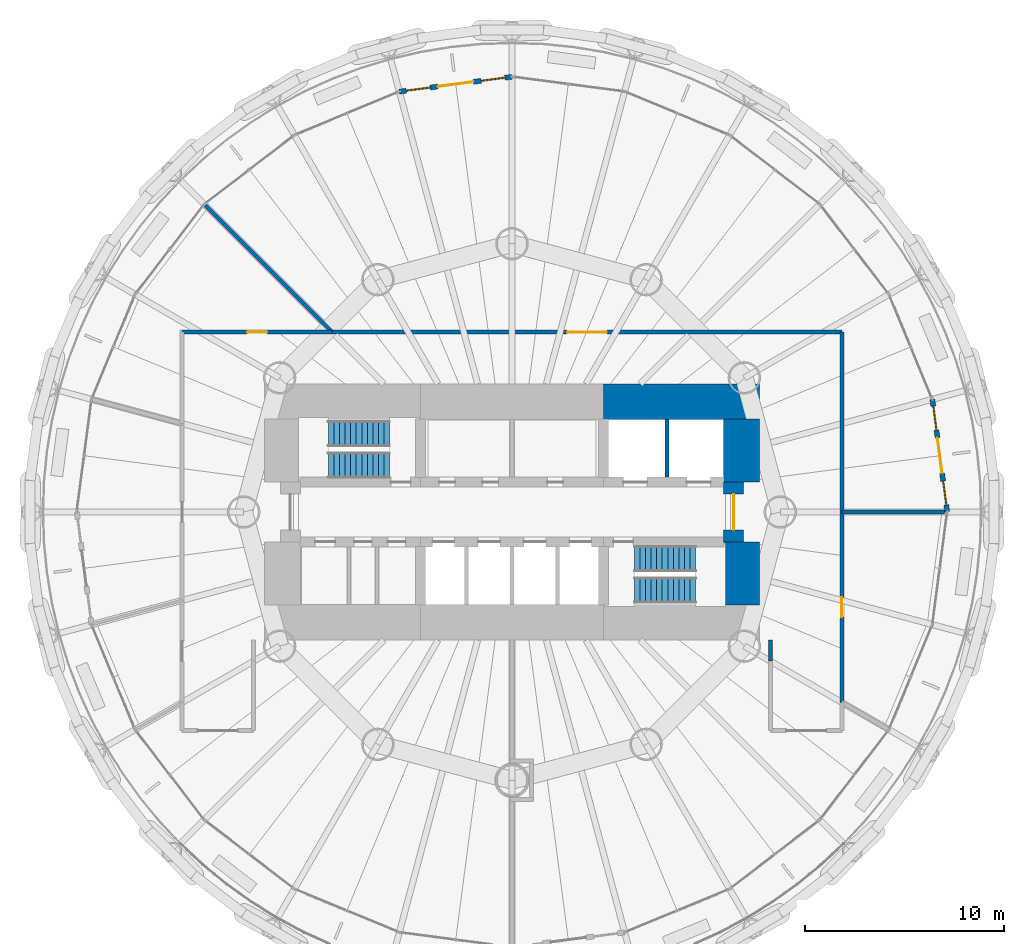
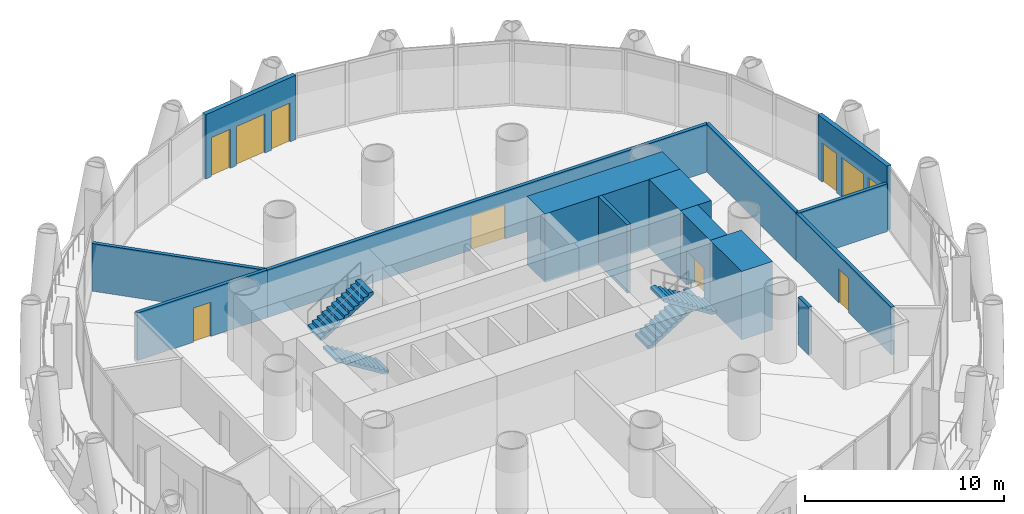
# One storey, part 11 of 15: 14 walls, 6 doors, 4 stair flights, 4 windows, 10 openings, 2 elements without a shape of their own.
"""IFC4 building model written with IfcOpenShell, lengths in metres."""

from ifc_helpers import new_model, si_unit, direction, frame, frame_2d, origin, place, context, subcontext, project, spatial, polyline, rectangle, outline, extrude, material, layer, layer_set, type_object, element, fill, aggregate, save


model = new_model("IFC4")

# Units and contexts
model_context = context("Model", 3, precision=1e-05, world=origin(), true_north=direction((0.0, 1.0)))
body_context = subcontext(model_context, "Body", "Model", "MODEL_VIEW")
ifc_project = project(units=[si_unit("LENGTHUNIT", "METRE"), si_unit("AREAUNIT", "SQUARE_METRE"), si_unit("VOLUMEUNIT", "CUBIC_METRE"), si_unit("PLANEANGLEUNIT", "RADIAN"), si_unit("MASSUNIT", "GRAM", prefix="KILO")], contexts=[model_context])

# Site, building, storey
site_placement = place(None, origin())
site = spatial("IfcSite", under=ifc_project, at=site_placement, CompositionType="ELEMENT")
building_placement = place(site_placement, origin())
building = spatial("IfcBuilding", under=site, at=building_placement, Name="Qaws Media Tower", CompositionType="ELEMENT")
storey_placement = place(building_placement, frame((0.0, 0.0, 189.800048828125)))
storey = spatial("IfcBuildingStorey", under=building, at=storey_placement, Name="L43", CompositionType="ELEMENT", Elevation=189.800048828125)

# Wall, openings, door, windows
ifc_material_1 = material(Name="Precast concrete, exposed finish", Category="concrete")
ifc_layer_1 = layer(ifc_material_1, 0.25)
ifc_layer_set_1 = layer_set([ifc_layer_1], Name="Balcony door wall 250")
wall_type_1 = type_object("IfcWallType", Name="Balcony door wall 250", PredefinedType="SOLIDWALL", material=ifc_layer_set_1)
wall_1_placement = place(storey_placement, frame((81.89990234375, 50.0, 0.0), z_axis=(0.0, 0.0, 1.0), x_axis=(-0.130502012477, 0.991448044397, 0.0)))
wall_1 = element("IfcWall", 1, at=wall_1_placement, inside=storey, type_object=wall_type_1, Name="W230 EW1 balcony door wall L43-01", PredefinedType="SOLIDWALL", context=body_context, shape_type="SweptSolid", body=[
    extrude(rectangle(XDim=5.717041015625, YDim=0.25, at=frame_2d((2.8583984375, 0.0))), origin(), (0.0, 0.0, 1.0), 3.949951171875),
])
opening_1_placement = place(wall_1_placement, frame((1.95849609375, 0.0, 0.0)))
opening_1 = element("IfcOpeningElement", 2, at=opening_1_placement, cuts=wall_1, Name="Opening D7", PredefinedType="OPENING", context=body_context, shape_type="SweptSolid", body=[
    extrude(rectangle(XDim=1.800048828125, YDim=2.39990234375, at=frame_2d((0.89990234375, 1.199951171875))), frame((0.0, 0.135009765625, 0.0), z_axis=(0.0, -1.0, 0.0), x_axis=(1.0, 0.0, 0.0)), (0.0, 0.0, 1.0), 0.27001953125),
])
opening_2_placement = place(wall_1_placement, frame((0.358642578125, 0.0, 0.0)))
opening_2 = element("IfcOpeningElement", 3, at=opening_2_placement, cuts=wall_1, Name="Opening W1", PredefinedType="OPENING", context=body_context, shape_type="SweptSolid", body=[
    extrude(rectangle(XDim=1.199951171875, YDim=2.39990234375, at=frame_2d((0.60009765625, 1.199951171875))), frame((0.0, 0.135009765625, 0.0), z_axis=(0.0, -1.0, 0.0), x_axis=(1.0, 0.0, 0.0)), (0.0, 0.0, 1.0), 0.27001953125),
])
opening_3_placement = place(wall_1_placement, frame((4.158447265625, 0.0, 0.0)))
opening_3 = element("IfcOpeningElement", 4, at=opening_3_placement, cuts=wall_1, Name="Opening W1", PredefinedType="OPENING", context=body_context, shape_type="SweptSolid", body=[
    extrude(rectangle(XDim=1.199951171875, YDim=2.39990234375, at=frame_2d((0.60009765625, 1.199951171875))), frame((0.0, 0.135009765625, 0.0), z_axis=(0.0, -1.0, 0.0), x_axis=(1.0, 0.0, 0.0)), (0.0, 0.0, 1.0), 0.27001953125),
])
ifc_material_2 = material(Name="Aluminium and clear glass", Category="aluminium")
door_type_1 = type_object("IfcDoorType", Name="Balcony door pair 1800", OperationType="DOUBLE_DOOR_SLIDING", PredefinedType="DOOR", material=ifc_material_2)
door_1_placement = place(opening_1_placement, origin())
door_1 = element("IfcDoor", 5, at=door_1_placement, inside=storey, type_object=door_type_1, Name="D7 balcony door L43-01 in wall W230", OperationType="DOUBLE_DOOR_SLIDING", OverallHeight=2.39990234375, OverallWidth=1.800048828125, PredefinedType="DOOR", context=body_context, shape_type="SweptSolid", body=[
    extrude(rectangle(XDim=1.800048828125, YDim=2.39990234375, at=frame_2d((0.89990234375, 1.199951171875))), frame((0.0, 0.02490234375, 0.0), z_axis=(0.0, -1.0, 0.0), x_axis=(1.0, 0.0, 0.0)), (0.0, 0.0, 1.0), 0.050048828125),
])
fill(opening_1, door_1)
ifc_material_3 = material(Name="Aluminium and clear glass", Category="aluminium")
window_type = type_object("IfcWindowType", Name="Balcony side window 1200", PartitioningType="SINGLE_PANEL", PredefinedType="WINDOW", material=ifc_material_3)
window_1_placement = place(opening_2_placement, origin())
window_1 = element("IfcWindow", 6, at=window_1_placement, inside=storey, type_object=window_type, Name="W1 balcony side light L43-01L", OverallHeight=2.39990234375, OverallWidth=1.199951171875, PartitioningType="SINGLE_PANEL", PredefinedType="WINDOW", context=body_context, shape_type="SweptSolid", body=[
    extrude(rectangle(XDim=1.199951171875, YDim=2.39990234375, at=frame_2d((0.60009765625, 1.199951171875))), frame((0.0, 0.030029296875, 0.0), z_axis=(0.0, -1.0, 0.0), x_axis=(1.0, 0.0, 0.0)), (0.0, 0.0, 1.0), 0.06005859375),
])
fill(opening_2, window_1)
window_2_placement = place(opening_3_placement, origin())
window_2 = element("IfcWindow", 7, at=window_2_placement, inside=storey, type_object=window_type, Name="W1 balcony side light L43-01R", OverallHeight=2.39990234375, OverallWidth=1.199951171875, PartitioningType="SINGLE_PANEL", PredefinedType="WINDOW", context=body_context, shape_type="SweptSolid", body=[
    extrude(rectangle(XDim=1.199951171875, YDim=2.39990234375, at=frame_2d((0.60009765625, 1.199951171875))), frame((0.0, 0.030029296875, 0.0), z_axis=(0.0, -1.0, 0.0), x_axis=(1.0, 0.0, 0.0)), (0.0, 0.0, 1.0), 0.06005859375),
])
fill(opening_3, window_2)

wall_2_placement = place(storey_placement, frame((60.0, 71.89990234375, 0.0), z_axis=(0.0, 0.0, 1.0), x_axis=(-0.991448044397, -0.130502012477, 0.0)))
wall_2 = element("IfcWall", 8, at=wall_2_placement, inside=storey, type_object=wall_type_1, Name="W229 EW1 balcony door wall L43-07", PredefinedType="SOLIDWALL", context=body_context, shape_type="SweptSolid", body=[
    extrude(rectangle(XDim=5.717041015625, YDim=0.25, at=frame_2d((2.8583984375, 0.0))), origin(), (0.0, 0.0, 1.0), 3.949951171875),
])
opening_4_placement = place(wall_2_placement, frame((1.95849609375, 0.0, 0.0)))
opening_4 = element("IfcOpeningElement", 9, at=opening_4_placement, cuts=wall_2, Name="Opening D7", PredefinedType="OPENING", context=body_context, shape_type="SweptSolid", body=[
    extrude(rectangle(XDim=1.800048828125, YDim=2.39990234375, at=frame_2d((0.89990234375, 1.199951171875))), frame((0.0, 0.135009765625, 0.0), z_axis=(0.0, -1.0, 0.0), x_axis=(1.0, 0.0, 0.0)), (0.0, 0.0, 1.0), 0.27001953125),
])
opening_5_placement = place(wall_2_placement, frame((0.358642578125, 0.0, 0.0)))
opening_5 = element("IfcOpeningElement", 10, at=opening_5_placement, cuts=wall_2, Name="Opening W1", PredefinedType="OPENING", context=body_context, shape_type="SweptSolid", body=[
    extrude(rectangle(XDim=1.199951171875, YDim=2.39990234375, at=frame_2d((0.60009765625, 1.199951171875))), frame((0.0, 0.135009765625, 0.0), z_axis=(0.0, -1.0, 0.0), x_axis=(1.0, 0.0, 0.0)), (0.0, 0.0, 1.0), 0.27001953125),
])
opening_6_placement = place(wall_2_placement, frame((4.158447265625, 0.0, 0.0)))
opening_6 = element("IfcOpeningElement", 11, at=opening_6_placement, cuts=wall_2, Name="Opening W1", PredefinedType="OPENING", context=body_context, shape_type="SweptSolid", body=[
    extrude(rectangle(XDim=1.199951171875, YDim=2.39990234375, at=frame_2d((0.60009765625, 1.199951171875))), frame((0.0, 0.135009765625, 0.0), z_axis=(0.0, -1.0, 0.0), x_axis=(1.0, 0.0, 0.0)), (0.0, 0.0, 1.0), 0.27001953125),
])
door_2_placement = place(opening_4_placement, origin())
door_2 = element("IfcDoor", 12, at=door_2_placement, inside=storey, type_object=door_type_1, Name="D7 balcony door L43-07 in wall W229", OperationType="DOUBLE_DOOR_SLIDING", OverallHeight=2.39990234375, OverallWidth=1.800048828125, PredefinedType="DOOR", context=body_context, shape_type="SweptSolid", body=[
    extrude(rectangle(XDim=1.800048828125, YDim=2.39990234375, at=frame_2d((0.89990234375, 1.199951171875))), frame((0.0, 0.02490234375, 0.0), z_axis=(0.0, -1.0, 0.0), x_axis=(1.0, 0.0, 0.0)), (0.0, 0.0, 1.0), 0.050048828125),
])
fill(opening_4, door_2)
window_3_placement = place(opening_5_placement, origin())
window_3 = element("IfcWindow", 13, at=window_3_placement, inside=storey, type_object=window_type, Name="W1 balcony side light L43-07L", OverallHeight=2.39990234375, OverallWidth=1.199951171875, PartitioningType="SINGLE_PANEL", PredefinedType="WINDOW", context=body_context, shape_type="SweptSolid", body=[
    extrude(rectangle(XDim=1.199951171875, YDim=2.39990234375, at=frame_2d((0.60009765625, 1.199951171875))), frame((0.0, 0.030029296875, 0.0), z_axis=(0.0, -1.0, 0.0), x_axis=(1.0, 0.0, 0.0)), (0.0, 0.0, 1.0), 0.06005859375),
])
fill(opening_5, window_3)
window_4_placement = place(opening_6_placement, origin())
window_4 = element("IfcWindow", 14, at=window_4_placement, inside=storey, type_object=window_type, Name="W1 balcony side light L43-07R", OverallHeight=2.39990234375, OverallWidth=1.199951171875, PartitioningType="SINGLE_PANEL", PredefinedType="WINDOW", context=body_context, shape_type="SweptSolid", body=[
    extrude(rectangle(XDim=1.199951171875, YDim=2.39990234375, at=frame_2d((0.60009765625, 1.199951171875))), frame((0.0, 0.030029296875, 0.0), z_axis=(0.0, -1.0, 0.0), x_axis=(1.0, 0.0, 0.0)), (0.0, 0.0, 1.0), 0.06005859375),
])
fill(opening_6, window_4)

# Wall, opening, door
ifc_material_4 = material(Name="Concrete C60/75", Category="concrete")
ifc_layer_2 = layer(ifc_material_4, 1.0)
ifc_layer_set_2 = layer_set([ifc_layer_2], Name="Core wall 1000")
wall_type_2 = type_object("IfcWallType", Name="Core wall 1000", PredefinedType="SHEAR", material=ifc_layer_set_2)
wall_3_placement = place(storey_placement, frame((71.14990234375, 48.5, 0.0), z_axis=(0.0, 0.0, 1.0), x_axis=(0.0, 1.0, 0.0)))
wall_3 = element("IfcWall", 15, at=wall_3_placement, inside=storey, type_object=wall_type_2, Name="W367 SW8 core wall E L43", PredefinedType="SHEAR", context=body_context, shape_type="SweptSolid", body=[
    extrude(rectangle(XDim=3.0, YDim=1.0, at=frame_2d((1.5, 0.0))), origin(), (0.0, 0.0, 1.0), 4.199951171875),
])
opening_7_placement = place(wall_3_placement, frame((0.60009765625, 0.0, 0.0)))
opening_7 = element("IfcOpeningElement", 16, at=opening_7_placement, cuts=wall_3, Name="Opening D2", PredefinedType="OPENING", context=body_context, shape_type="SweptSolid", body=[
    extrude(rectangle(XDim=1.800048828125, YDim=2.10009765625, at=frame_2d((0.89990234375, 1.050048828125))), frame((0.0, 0.510009765625, 0.0), z_axis=(0.0, -1.0, 0.0), x_axis=(1.0, 0.0, 0.0)), (0.0, 0.0, 1.0), 1.02001953125),
])
ifc_material_5 = material(Name="Steel and glass, fire rated", Category="steel")
door_type_2 = type_object("IfcDoorType", Name="Lobby door pair 1800 FD60", OperationType="DOUBLE_DOOR_DOUBLE_SWING", PredefinedType="DOOR", material=ifc_material_5)
door_3_placement = place(opening_7_placement, origin())
door_3 = element("IfcDoor", 17, at=door_3_placement, inside=storey, type_object=door_type_2, Name="D2 core lobby door E L43 in wall W367", OperationType="DOUBLE_DOOR_DOUBLE_SWING", OverallHeight=2.10009765625, OverallWidth=1.800048828125, PredefinedType="DOOR", context=body_context, shape_type="SweptSolid", body=[
    extrude(rectangle(XDim=1.800048828125, YDim=2.10009765625, at=frame_2d((0.89990234375, 1.050048828125))), frame((0.0, 0.02490234375, 0.0), z_axis=(0.0, -1.0, 0.0), x_axis=(1.0, 0.0, 0.0)), (0.0, 0.0, 1.0), 0.050048828125),
])
fill(opening_7, door_3)

# Walls
ifc_material_6 = material(Name="Concrete C60/75", Category="concrete")
ifc_layer_3 = layer(ifc_material_6, 1.800048828125)
ifc_layer_set_3 = layer_set([ifc_layer_3], Name="Core wall 1800")
wall_type_3 = type_object("IfcWallType", Name="Core wall 1800", PredefinedType="SHEAR", material=ifc_layer_set_3)
wall_4_placement = place(storey_placement, frame((64.60009765625, 55.550048828125, 0.0), z_axis=(0.0, 0.0, 1.0), x_axis=(1.0, 0.0, 0.0)))
element("IfcWall", 18, at=wall_4_placement, inside=storey, type_object=wall_type_3, Name="W423 SW11 core wall NE L43", PredefinedType="SHEAR", context=body_context, shape_type="SweptSolid", body=[
    extrude(rectangle(XDim=7.849853515625, YDim=1.800048828125, at=frame_2d((3.9248046875, 0.0))), origin(), (0.0, 0.0, 1.0), 4.199951171875),
])
for number, where, z_axis, x_axis, name in (
    (19, (71.550048828125, 45.330078125, 0.0), (0.0, 0.0, 1.0), (0.0, 1.0, 0.0), "W424 SW11 core wall ES L43"),
    (20, (71.550048828125, 51.5, 0.0), (0.0, 0.0, 1.0), (0.0, 1.0, 0.0), "W425 SW11 core wall EN L43"),
):
    element("IfcWall", number, at=place(storey_placement, frame(where, z_axis=z_axis, x_axis=x_axis)), inside=storey, type_object=wall_type_3, Name=name, PredefinedType="SHEAR", context=body_context, shape_type="SweptSolid", body=[
        extrude(rectangle(XDim=3.169921875, YDim=1.800048828125, at=frame_2d((1.5849609375, 0.0))), origin(), (0.0, 0.0, 1.0), 4.199951171875),
    ])

# Wall, opening, door
ifc_material_7 = material(Name="Gypsum board on galvanised metal studs, acoustic double stud, deflection head", Category="gypsum")
ifc_layer_4 = layer(ifc_material_7, 0.199951171875)
ifc_layer_set_4 = layer_set([ifc_layer_4], Name="Room partition 200")
wall_type_4 = type_object("IfcWallType", Name="Room partition 200", PredefinedType="PARTITIONING", material=ifc_layer_set_4)
wall_5_placement = place(storey_placement, frame((43.39990234375, 59.050048828125, 0.0), z_axis=(0.0, 0.0, 1.0), x_axis=(1.0, 0.0, 0.0)))
wall_5 = element("IfcWall", 21, at=wall_5_placement, inside=storey, type_object=wall_type_4, Name="W1444 IW3 partition L43", PredefinedType="PARTITIONING", context=body_context, shape_type="SweptSolid", body=[
    extrude(rectangle(XDim=7.550048828125, YDim=0.199951171875, at=frame_2d((3.77490234375, 0.0))), origin(), (0.0, 0.0, 1.0), 2.929931640625),
])
opening_8_placement = place(wall_5_placement, frame((3.27490234375, 0.0, 0.0)))
opening_8 = element("IfcOpeningElement", 22, at=opening_8_placement, cuts=wall_5, Name="Opening D5", PredefinedType="OPENING", context=body_context, shape_type="SweptSolid", body=[
    extrude(rectangle(XDim=1.0, YDim=2.10009765625, at=frame_2d((0.5, 1.050048828125))), frame((0.0, 0.10986328125, 0.0), z_axis=(0.0, -1.0, 0.0), x_axis=(1.0, 0.0, 0.0)), (0.0, 0.0, 1.0), 0.219970703125),
])
ifc_material_8 = material(Name="Timber veneered, acoustic seal", Category="wood")
door_type_3 = type_object("IfcDoorType", Name="Room door 1000", OperationType="SINGLE_SWING_LEFT", PredefinedType="DOOR", material=ifc_material_8)
door_4_placement = place(opening_8_placement, origin())
door_4 = element("IfcDoor", 23, at=door_4_placement, inside=storey, type_object=door_type_3, Name="D5 Brand studio door L43 in wall W1444", OperationType="SINGLE_SWING_LEFT", OverallHeight=2.10009765625, OverallWidth=1.0, PredefinedType="DOOR", context=body_context, shape_type="SweptSolid", body=[
    extrude(rectangle(XDim=1.0, YDim=2.10009765625, at=frame_2d((0.5, 1.050048828125))), frame((0.0, 0.02490234375, 0.0), z_axis=(0.0, -1.0, 0.0), x_axis=(1.0, 0.0, 0.0)), (0.0, 0.0, 1.0), 0.050048828125),
])
fill(opening_8, door_4)

wall_6_placement = place(storey_placement, frame((50.949951171875, 59.050048828125, 0.0), z_axis=(0.0, 0.0, 1.0), x_axis=(1.0, 0.0, 0.0)))
wall_6 = element("IfcWall", 24, at=wall_6_placement, inside=storey, type_object=wall_type_4, Name="W1450 IW3 partition L43", PredefinedType="PARTITIONING", context=body_context, shape_type="SweptSolid", body=[
    extrude(rectangle(XDim=25.650146484375, YDim=0.199951171875, at=frame_2d((12.8251953125, 0.0))), origin(), (0.0, 0.0, 1.0), 2.929931640625),
])
opening_9_placement = place(wall_6_placement, frame((11.824951171875, 0.0, 0.0)))
opening_9 = element("IfcOpeningElement", 25, at=opening_9_placement, cuts=wall_6, Name="Opening D6", PredefinedType="OPENING", context=body_context, shape_type="SweptSolid", body=[
    extrude(rectangle(XDim=2.0, YDim=2.10009765625, at=frame_2d((1.0, 1.050048828125))), frame((0.0, 0.10986328125, 0.0), z_axis=(0.0, -1.0, 0.0), x_axis=(1.0, 0.0, 0.0)), (0.0, 0.0, 1.0), 0.219970703125),
])
ifc_material_9 = material(Name="Steel, acoustic, fire rated", Category="steel")
door_type_4 = type_object("IfcDoorType", Name="Room door pair 2000", OperationType="DOUBLE_DOOR_DOUBLE_SWING", PredefinedType="DOOR", material=ifc_material_9)
door_5_placement = place(opening_9_placement, origin())
door_5 = element("IfcDoor", 26, at=door_5_placement, inside=storey, type_object=door_type_4, Name="D6 Marketing office door L43 in wall W1450", OperationType="DOUBLE_DOOR_DOUBLE_SWING", OverallHeight=2.10009765625, OverallWidth=2.0, PredefinedType="DOOR", context=body_context, shape_type="SweptSolid", body=[
    extrude(rectangle(XDim=2.0, YDim=2.10009765625, at=frame_2d((1.0, 1.050048828125))), frame((0.0, 0.02490234375, 0.0), z_axis=(0.0, -1.0, 0.0), x_axis=(1.0, 0.0, 0.0)), (0.0, 0.0, 1.0), 0.050048828125),
])
fill(opening_9, door_5)

# Wall
wall_7_placement = place(storey_placement, frame((76.60009765625, 59.050048828125, 0.0), z_axis=(0.0, 0.0, 1.0), x_axis=(0.0, -1.0, 0.0)))
element("IfcWall", 27, at=wall_7_placement, inside=storey, type_object=wall_type_4, Name="W1464 IW3 partition L43", PredefinedType="PARTITIONING", context=body_context, shape_type="SweptSolid", body=[
    extrude(rectangle(XDim=9.050048828125, YDim=0.199951171875, at=frame_2d((4.52490234375, 0.0))), origin(), (0.0, 0.0, 1.0), 2.929931640625),
])

# Wall, opening, door
wall_8_placement = place(storey_placement, frame((76.60009765625, 50.0, 0.0), z_axis=(0.0, 0.0, 1.0), x_axis=(0.0, -1.0, 0.0)))
wall_8 = element("IfcWall", 28, at=wall_8_placement, inside=storey, type_object=wall_type_4, Name="W1462 IW3 partition L43", PredefinedType="PARTITIONING", context=body_context, shape_type="SweptSolid", body=[
    extrude(rectangle(XDim=9.583984375, YDim=0.199951171875, at=frame_2d((4.7919921875, 0.0))), origin(), (0.0, 0.0, 1.0), 2.929931640625),
])
opening_10_placement = place(wall_8_placement, frame((4.2919921875, 0.0, 0.0)))
opening_10 = element("IfcOpeningElement", 29, at=opening_10_placement, cuts=wall_8, Name="Opening D5", PredefinedType="OPENING", context=body_context, shape_type="SweptSolid", body=[
    extrude(rectangle(XDim=1.0, YDim=2.10009765625, at=frame_2d((0.5, 1.050048828125))), frame((0.0, 0.10986328125, 0.0), z_axis=(0.0, -1.0, 0.0), x_axis=(1.0, 0.0, 0.0)), (0.0, 0.0, 1.0), 0.219970703125),
])
door_6_placement = place(opening_10_placement, origin())
door_6 = element("IfcDoor", 30, at=door_6_placement, inside=storey, type_object=door_type_3, Name="D5 Content studio door L43 in wall W1462", OperationType="SINGLE_SWING_LEFT", OverallHeight=2.10009765625, OverallWidth=1.0, PredefinedType="DOOR", context=body_context, shape_type="SweptSolid", body=[
    extrude(rectangle(XDim=1.0, YDim=2.10009765625, at=frame_2d((0.5, 1.050048828125))), frame((0.0, 0.02490234375, 0.0), z_axis=(0.0, -1.0, 0.0), x_axis=(1.0, 0.0, 0.0)), (0.0, 0.0, 1.0), 0.050048828125),
])
fill(opening_10, door_6)

# Walls
wall_9_placement = place(storey_placement, frame((73.0, 42.494384765625, 0.0), z_axis=(0.0, 0.0, 1.0), x_axis=(0.0, 1.0, 0.0)))
element("IfcWall", 31, at=wall_9_placement, inside=storey, type_object=wall_type_4, Name="W1458 IW3 partition L43", PredefinedType="PARTITIONING", context=body_context, shape_type="SweptSolid", body=[
    extrude(rectangle(XDim=1.0556640625, YDim=0.199951171875, at=frame_2d((0.52783203125, 0.0))), origin(), (0.0, 0.0, 1.0), 2.929931640625),
])
wall_10_placement = place(storey_placement, frame((76.60009765625, 50.0, 0.0), z_axis=(0.0, 0.0, 1.0), x_axis=(1.0, 0.0, 0.0)))
element("IfcWall", 32, at=wall_10_placement, inside=storey, type_object=wall_type_4, Name="W1463 IW3 partition L43", PredefinedType="PARTITIONING", context=body_context, shape_type="SweptSolid", body=[
    extrude(rectangle(XDim=5.159912109375, YDim=0.199951171875, at=frame_2d((2.580078125, 0.0))), origin(), (0.0, 0.0, 1.0), 2.929931640625),
])
wall_11_placement = place(storey_placement, frame((50.948974609375, 59.051025390625, 0.0), z_axis=(0.0, 0.0, 1.0), x_axis=(-0.707106781187, 0.707106781187, 0.0)))
element("IfcWall", 33, at=wall_11_placement, inside=storey, type_object=wall_type_4, Name="W1449 IW3 partition L43", PredefinedType="PARTITIONING", context=body_context, shape_type="SweptSolid", body=[
    extrude(rectangle(XDim=9.06005859375, YDim=0.199951171875, at=frame_2d((4.530029296875, 0.0))), origin(), (0.0, 0.0, 1.0), 2.929931640625),
])
ifc_material_10 = material(Name="Fire-rated gypsum board shaft wall on galvanised metal studs, deflection head", Category="gypsum")
ifc_layer_5 = layer(ifc_material_10, 0.199951171875)
ifc_layer_set_5 = layer_set([ifc_layer_5], Name="Shaft wall 200")
wall_type_5 = type_object("IfcWallType", Name="Shaft wall 200", PredefinedType="PARTITIONING", material=ifc_layer_set_5)
wall_12_placement = place(storey_placement, frame((67.800048828125, 51.75, 0.0), z_axis=(0.0, 0.0, 1.0), x_axis=(0.0, 1.0, 0.0)))
element("IfcWall", 34, at=wall_12_placement, inside=storey, type_object=wall_type_5, Name="W1859 IW1 shaft wall FL L43", PredefinedType="PARTITIONING", context=body_context, shape_type="SweptSolid", body=[
    extrude(rectangle(XDim=2.89990234375, YDim=0.199951171875, at=frame_2d((1.449951171875, 0.0))), origin(), (0.0, 0.0, 1.0), 4.199951171875),
])

# Stair, stair flights
ifc_material_11 = material(Name="Concrete C40/50", Category="concrete")
stair_type = type_object("IfcStairType", Name="Exit stair", PredefinedType="HALF_TURN_STAIR", material=ifc_material_11)
stair_1_placement = place(storey_placement, origin())
stair_1 = element("IfcStair", 35, at=stair_1_placement, inside=storey, type_object=stair_type, Name="S1 exit stair L43", PredefinedType="HALF_TURN_STAIR")
ifc_material_12 = material(Name="Concrete C40/50", Category="concrete")
stair_flight_type = type_object("IfcStairFlightType", Name="Stair flight 1310", PredefinedType="STRAIGHT", material=ifc_material_12)
stair_flight_1_placement = place(storey_placement, frame((53.840087890625, 52.35498046875, 0.0), z_axis=(0.0, 0.0, 1.0), x_axis=(-1.0, 0.0, 0.0)))
stair_flight_1 = element("IfcStairFlight", 36, at=stair_flight_1_placement, type_object=stair_flight_type, Name="S1 flight 1", NumberOfRisers=12, NumberOfTreads=11, PredefinedType="STRAIGHT", RiserHeight=0.175, TreadLength=0.28, context=body_context, shape_type="SweptSolid", body=[
    extrude(outline(polyline([(0.0, 0.0), (0.0, 0.175048828125), (0.280029296875, 0.175048828125), (0.280029296875, 0.35009765625), (0.56005859375, 0.35009765625), (0.56005859375, 0.52490234375), (0.840087890625, 0.52490234375), (0.840087890625, 0.699951171875), (1.1201171875, 0.699951171875), (1.1201171875, 0.875), (1.39990234375, 0.875), (1.39990234375, 1.050048828125), (1.679931640625, 1.050048828125), (1.679931640625, 1.22509765625), (1.9599609375, 1.22509765625), (1.9599609375, 1.39990234375), (2.239990234375, 1.39990234375), (2.239990234375, 1.574951171875), (2.52001953125, 1.574951171875), (2.52001953125, 1.75), (2.800048828125, 1.75), (2.800048828125, 1.925048828125), (3.080078125, 1.925048828125), (3.080078125, 2.10009765625), (3.080078125, 1.748291015625), (0.28271484375, 0.0), (0.0, 0.0)])), frame((0.0, 0.655029296875, 0.0), z_axis=(0.0, -1.0, 0.0), x_axis=(1.0, 0.0, 0.0)), (0.0, 0.0, 1.0), 1.31005859375),
])
stair_flight_2_placement = place(storey_placement, frame((50.760009765625, 53.945068359375, 2.099853515625), z_axis=(0.0, 0.0, 1.0), x_axis=(1.0, 0.0, 0.0)))
stair_flight_2 = element("IfcStairFlight", 37, at=stair_flight_2_placement, type_object=stair_flight_type, Name="S1 flight 2", NumberOfRisers=12, NumberOfTreads=11, PredefinedType="STRAIGHT", RiserHeight=0.175, TreadLength=0.28, context=body_context, shape_type="SweptSolid", body=[
    extrude(outline(polyline([(0.0, 0.0), (0.0, 0.175048828125), (0.280029296875, 0.175048828125), (0.280029296875, 0.35009765625), (0.56005859375, 0.35009765625), (0.56005859375, 0.52490234375), (0.840087890625, 0.52490234375), (0.840087890625, 0.699951171875), (1.1201171875, 0.699951171875), (1.1201171875, 0.875), (1.39990234375, 0.875), (1.39990234375, 1.050048828125), (1.679931640625, 1.050048828125), (1.679931640625, 1.22509765625), (1.9599609375, 1.22509765625), (1.9599609375, 1.39990234375), (2.239990234375, 1.39990234375), (2.239990234375, 1.574951171875), (2.52001953125, 1.574951171875), (2.52001953125, 1.75), (2.800048828125, 1.75), (2.800048828125, 1.925048828125), (3.080078125, 1.925048828125), (3.080078125, 2.10009765625), (3.080078125, 1.748291015625), (0.28271484375, 0.0), (0.0, 0.0)])), frame((0.0, 0.655029296875, 0.0), z_axis=(0.0, -1.0, 0.0), x_axis=(1.0, 0.0, 0.0)), (0.0, 0.0, 1.0), 1.31005859375),
])
aggregate(stair_1, [stair_flight_1, stair_flight_2])

stair_2_placement = place(storey_placement, origin())
stair_2 = element("IfcStair", 38, at=stair_2_placement, inside=storey, type_object=stair_type, Name="S2 exit stair L43", PredefinedType="HALF_TURN_STAIR")
stair_flight_3_placement = place(storey_placement, frame((66.159912109375, 47.64501953125, 0.0), z_axis=(0.0, 0.0, 1.0), x_axis=(1.0, 0.0, 0.0)))
stair_flight_3 = element("IfcStairFlight", 39, at=stair_flight_3_placement, type_object=stair_flight_type, Name="S2 flight 1", NumberOfRisers=12, NumberOfTreads=11, PredefinedType="STRAIGHT", RiserHeight=0.175, TreadLength=0.28, context=body_context, shape_type="SweptSolid", body=[
    extrude(outline(polyline([(0.0, 0.0), (0.0, 0.175048828125), (0.280029296875, 0.175048828125), (0.280029296875, 0.35009765625), (0.56005859375, 0.35009765625), (0.56005859375, 0.52490234375), (0.840087890625, 0.52490234375), (0.840087890625, 0.699951171875), (1.1201171875, 0.699951171875), (1.1201171875, 0.875), (1.39990234375, 0.875), (1.39990234375, 1.050048828125), (1.679931640625, 1.050048828125), (1.679931640625, 1.22509765625), (1.9599609375, 1.22509765625), (1.9599609375, 1.39990234375), (2.239990234375, 1.39990234375), (2.239990234375, 1.574951171875), (2.52001953125, 1.574951171875), (2.52001953125, 1.75), (2.800048828125, 1.75), (2.800048828125, 1.925048828125), (3.080078125, 1.925048828125), (3.080078125, 2.10009765625), (3.080078125, 1.748291015625), (0.28271484375, 0.0), (0.0, 0.0)])), frame((0.0, 0.655029296875, 0.0), z_axis=(0.0, -1.0, 0.0), x_axis=(1.0, 0.0, 0.0)), (0.0, 0.0, 1.0), 1.31005859375),
])
stair_flight_4_placement = place(storey_placement, frame((69.239990234375, 46.054931640625, 2.099853515625), z_axis=(0.0, 0.0, 1.0), x_axis=(-1.0, 0.0, 0.0)))
stair_flight_4 = element("IfcStairFlight", 40, at=stair_flight_4_placement, type_object=stair_flight_type, Name="S2 flight 2", NumberOfRisers=12, NumberOfTreads=11, PredefinedType="STRAIGHT", RiserHeight=0.175, TreadLength=0.28, context=body_context, shape_type="SweptSolid", body=[
    extrude(outline(polyline([(0.0, 0.0), (0.0, 0.175048828125), (0.280029296875, 0.175048828125), (0.280029296875, 0.35009765625), (0.56005859375, 0.35009765625), (0.56005859375, 0.52490234375), (0.840087890625, 0.52490234375), (0.840087890625, 0.699951171875), (1.1201171875, 0.699951171875), (1.1201171875, 0.875), (1.39990234375, 0.875), (1.39990234375, 1.050048828125), (1.679931640625, 1.050048828125), (1.679931640625, 1.22509765625), (1.9599609375, 1.22509765625), (1.9599609375, 1.39990234375), (2.239990234375, 1.39990234375), (2.239990234375, 1.574951171875), (2.52001953125, 1.574951171875), (2.52001953125, 1.75), (2.800048828125, 1.75), (2.800048828125, 1.925048828125), (3.080078125, 1.925048828125), (3.080078125, 2.10009765625), (3.080078125, 1.748291015625), (0.28271484375, 0.0), (0.0, 0.0)])), frame((0.0, 0.655029296875, 0.0), z_axis=(0.0, -1.0, 0.0), x_axis=(1.0, 0.0, 0.0)), (0.0, 0.0, 1.0), 1.31005859375),
])
aggregate(stair_2, [stair_flight_3, stair_flight_4])

save(model, "model.ifc")
